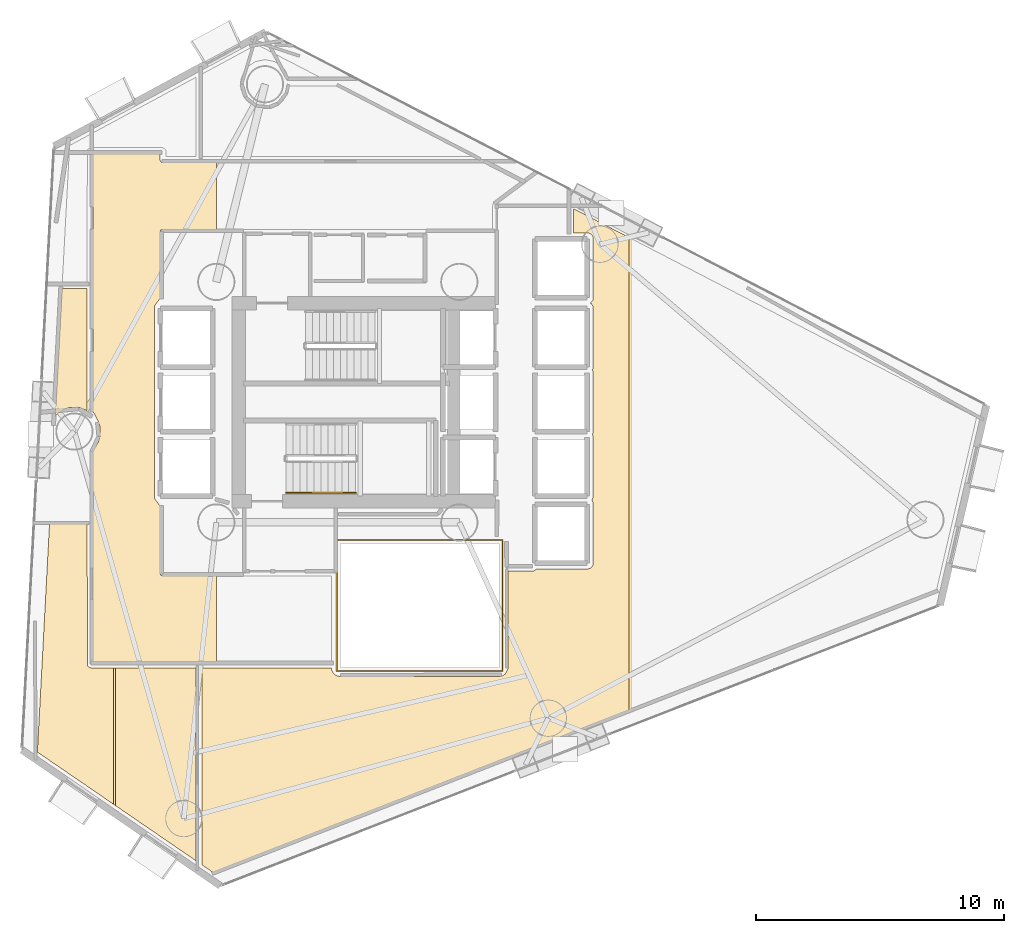
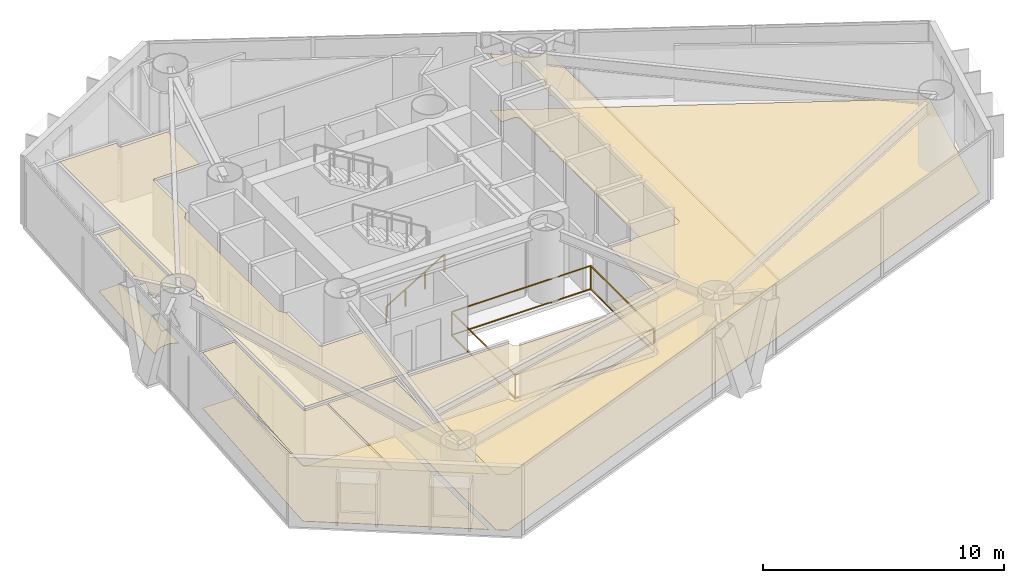
# One storey, part 19 of 21: 8 coverings, 2 railings.
"""IFC4 building model written with IfcOpenShell, lengths in metres."""

from ifc_helpers import new_model, si_unit, direction, frame, origin, origin_2d, place, context, subcontext, project, spatial, polyline, rectangle, outline, extrude, material, layer, layer_set, type_object, element, save


model = new_model("IFC4")

# Units and contexts
model_context = context("Model", 3, precision=1e-05, world=origin(), true_north=direction((0.0, 1.0)))
body_context = subcontext(model_context, "Body", "Model", "MODEL_VIEW")
ifc_project = project(units=[si_unit("LENGTHUNIT", "METRE"), si_unit("AREAUNIT", "SQUARE_METRE"), si_unit("VOLUMEUNIT", "CUBIC_METRE"), si_unit("PLANEANGLEUNIT", "RADIAN"), si_unit("MASSUNIT", "GRAM", prefix="KILO")], contexts=[model_context])

# Site, building, storey
site_placement = place(None, origin())
site = spatial("IfcSite", under=ifc_project, at=site_placement, CompositionType="ELEMENT")
building_placement = place(site_placement, origin())
building = spatial("IfcBuilding", under=site, at=building_placement, Name="Qianvela Tower", CompositionType="ELEMENT")
storey_placement = place(building_placement, frame((0.0, 0.0, 131.10009765625)))
storey = spatial("IfcBuildingStorey", under=building, at=storey_placement, Name="L33", CompositionType="ELEMENT", Elevation=131.10009765625)

# Coverings
ifc_material_1 = material(Name="Perforated Mineral Acoustic Ceiling Tile")
ifc_layer_1 = layer(ifc_material_1, 0.02490234375)
ifc_layer_set_1 = layer_set([ifc_layer_1], Name="Perforated Mineral Acoustic Ceiling Tile")
covering_type_1 = type_object("IfcCoveringType", Name="COV-CEIL-ACOUSTIC-25", PredefinedType="CEILING", material=ifc_layer_set_1)
covering_1_placement = place(storey_placement, frame((0.0, 0.0, 2.81494140625)))
element("IfcCovering", 1, at=covering_1_placement, inside=storey, type_object=covering_type_1, Name="L33 Acoustic Ceiling Bay 1 L33 Floor Corridor", PredefinedType="CEILING", context=body_context, shape_type="SweptSolid", body=[
    extrude(outline(polyline([(23.84814453125, 27.917724609375), (23.8447265625, 27.9248046875), (23.6298828125, 28.32666015625), (23.6298828125, 38.719970703125), (26.340087890625, 38.719970703125), (26.340087890625, 38.449951171875), (26.34033203125, 38.442138671875), (26.341552734375, 38.434326171875), (26.343505859375, 38.4267578125), (26.34619140625, 38.41943359375), (26.349365234375, 38.412353515625), (26.353515625, 38.405517578125), (26.358154296875, 38.399169921875), (26.36328125, 38.393310546875), (26.369140625, 38.38818359375), (26.37548828125, 38.383544921875), (26.38232421875, 38.37939453125), (26.389404296875, 38.376220703125), (26.396728515625, 38.373291015625), (26.404296875, 38.37158203125), (26.412109375, 38.370361328125), (26.419921875, 38.3701171875), (28.60107421875, 38.3701171875), (28.60107421875, 35.659912109375), (26.419921875, 35.659912109375), (26.412109375, 35.65966796875), (26.404296875, 35.658447265625), (26.396728515625, 35.656494140625), (26.389404296875, 35.65380859375), (26.38232421875, 35.650634765625), (26.37548828125, 35.646484375), (26.369140625, 35.641845703125), (26.36328125, 35.63671875), (26.358154296875, 35.630859375), (26.353515625, 35.62451171875), (26.349365234375, 35.61767578125), (26.34619140625, 35.610595703125), (26.343505859375, 35.603271484375), (26.341552734375, 35.595703125), (26.34033203125, 35.587890625), (26.340087890625, 35.580078125), (26.340087890625, 32.89599609375), (26.139404296875, 32.62548828125), (26.135498046875, 32.61962890625), (26.132080078125, 32.61376953125), (26.12939453125, 32.607421875), (26.126953125, 32.60107421875), (26.103515625, 32.523193359375), (26.1015625, 32.515625), (26.100341796875, 32.5078125), (26.10009765625, 32.5), (26.10009765625, 24.89990234375), (26.100341796875, 24.89208984375), (26.1015625, 24.884521484375), (26.103515625, 24.876708984375), (26.126953125, 24.799072265625), (26.12939453125, 24.79248046875), (26.132080078125, 24.786376953125), (26.135498046875, 24.7802734375), (26.139404296875, 24.774658203125), (26.340087890625, 24.50390625), (26.340087890625, 21.780029296875), (26.34033203125, 21.772216796875), (26.341552734375, 21.764404296875), (26.343505859375, 21.7568359375), (26.34619140625, 21.74951171875), (26.349365234375, 21.7421875), (26.353515625, 21.735595703125), (26.358154296875, 21.729248046875), (26.36328125, 21.723388671875), (26.369140625, 21.71826171875), (26.37548828125, 21.71337890625), (26.38232421875, 21.70947265625), (26.389404296875, 21.7060546875), (26.396728515625, 21.703369140625), (26.404296875, 21.701416015625), (26.412109375, 21.700439453125), (26.419921875, 21.699951171875), (28.60107421875, 21.699951171875), (28.60107421875, 18.22998046875), (23.6298828125, 18.22998046875), (23.6298828125, 26.705322265625), (23.8447265625, 27.107177734375), (23.84814453125, 27.1142578125), (23.8505859375, 27.12158203125), (23.906005859375, 27.303466796875), (23.90771484375, 27.311279296875), (23.908935546875, 27.31884765625), (23.909423828125, 27.326904296875), (23.909423828125, 27.705078125), (23.908935546875, 27.713134765625), (23.90771484375, 27.720703125), (23.906005859375, 27.728515625), (23.8505859375, 27.910400390625), (23.84814453125, 27.917724609375)])), origin(), (0.0, 0.0, 1.0), 0.02490234375),
])
covering_2_placement = place(storey_placement, frame((0.0, 0.0, 2.81494140625)))
element("IfcCovering", 2, at=covering_2_placement, inside=storey, type_object=covering_type_1, Name="L33 Acoustic Ceiling Bay 1 Quiet Reading Study L33-01", PredefinedType="CEILING", context=body_context, shape_type="SweptSolid", body=[
    extrude(outline(polyline([(23.390380859375, 23.778076171875), (23.408203125, 18.09912109375), (23.40869140625, 18.0908203125), (23.409912109375, 18.082763671875), (23.412109375, 18.07470703125), (23.414794921875, 18.067138671875), (23.41845703125, 18.059814453125), (23.4228515625, 18.052978515625), (23.427978515625, 18.04638671875), (23.43359375, 18.040771484375), (23.43994140625, 18.035400390625), (23.44677734375, 18.03076171875), (23.4541015625, 18.02685546875), (23.515869140625, 17.997802734375), (23.52392578125, 17.994384765625), (23.532470703125, 17.991943359375), (23.541259765625, 17.990478515625), (23.550048828125, 17.989990234375), (24.45751953125, 17.989990234375), (24.45751953125, 12.485595703125), (21.3857421875, 14.5908203125), (21.873779296875, 23.778076171875), (23.390380859375, 23.778076171875)])), origin(), (0.0, 0.0, 1.0), 0.02490234375),
])
covering_3_placement = place(storey_placement, frame((0.0, 0.0, 2.81494140625)))
element("IfcCovering", 3, at=covering_3_placement, inside=storey, type_object=covering_type_1, Name="L33 Acoustic Ceiling Bay 2 Quiet Reading Study L33-01", PredefinedType="CEILING", context=body_context, shape_type="SweptSolid", body=[
    extrude(outline(polyline([(27.778076171875, 17.989990234375), (27.778076171875, 10.209716796875), (24.53759765625, 12.4306640625), (24.53759765625, 17.989990234375), (27.778076171875, 17.989990234375)])), origin(), (0.0, 0.0, 1.0), 0.02490234375),
])
covering_4_placement = place(storey_placement, frame((0.0, 0.0, 2.81494140625)))
element("IfcCovering", 4, at=covering_4_placement, inside=storey, type_object=covering_type_1, Name="L33 Acoustic Ceiling Bay 1 Panoramic Study Lounge L33-02", PredefinedType="CEILING", context=body_context, shape_type="SweptSolid", body=[
    extrude(outline(polyline([(40.13037109375, 17.664794921875), (40.1376953125, 17.66748046875), (40.14501953125, 17.6708984375), (40.151611328125, 17.6748046875), (40.242431640625, 17.735595703125), (40.249267578125, 17.74072265625), (40.255615234375, 17.74658203125), (40.26123046875, 17.753173828125), (40.26611328125, 17.76025390625), (40.270263671875, 17.767822265625), (40.35107421875, 17.9384765625), (40.354248046875, 17.946533203125), (40.356689453125, 17.955078125), (40.358154296875, 17.963623046875), (40.358642578125, 17.972412109375), (40.360107421875, 21.889892578125), (41.367919921875, 21.890380859375), (41.375732421875, 21.890869140625), (41.383544921875, 21.891845703125), (41.39111328125, 21.893798828125), (41.3984375, 21.896484375), (41.405517578125, 21.89990234375), (41.45947265625, 21.9287109375), (41.46630859375, 21.932861328125), (41.472900390625, 21.9375), (41.478759765625, 21.943115234375), (41.48388671875, 21.948974609375), (41.48876953125, 21.955322265625), (41.492919921875, 21.96240234375), (41.49609375, 21.969482421875), (41.498779296875, 21.97705078125), (41.49951171875, 21.97998046875), (43.59375, 21.980712890625), (43.6015625, 21.981201171875), (43.609375, 21.982177734375), (43.616943359375, 21.984130859375), (43.624267578125, 21.98681640625), (43.699462890625, 22.017822265625), (43.70703125, 22.021484375), (43.71435546875, 22.02587890625), (43.72119140625, 22.03125), (43.727294921875, 22.037109375), (43.732666015625, 22.043701171875), (43.7373046875, 22.05078125), (43.785888671875, 22.131591796875), (43.7900390625, 22.13916015625), (43.793212890625, 22.147216796875), (43.79541015625, 22.155517578125), (43.796875, 22.1640625), (43.79736328125, 22.172607421875), (43.800048828125, 24.599853515625), (43.7998046875, 24.606689453125), (43.798828125, 24.613525390625), (43.79736328125, 24.620361328125), (43.79541015625, 24.626953125), (43.763427734375, 24.7158203125), (43.760498046875, 24.722900390625), (43.7568359375, 24.72998046875), (43.75244140625, 24.736572265625), (43.74755859375, 24.742431640625), (43.741943359375, 24.748046875), (43.739990234375, 24.74951171875), (43.743408203125, 24.75341796875), (43.74755859375, 24.760009765625), (43.751220703125, 24.766845703125), (43.79150390625, 24.85205078125), (43.794921875, 24.860107421875), (43.79736328125, 24.86865234375), (43.798828125, 24.87744140625), (43.79931640625, 24.88623046875), (43.800048828125, 27.300048828125), (43.799560546875, 27.307861328125), (43.79833984375, 27.31591796875), (43.79638671875, 27.323486328125), (43.793701171875, 27.3310546875), (43.7646484375, 27.39990234375), (43.793701171875, 27.468994140625), (43.79638671875, 27.476318359375), (43.79833984375, 27.484130859375), (43.799560546875, 27.491943359375), (43.800048828125, 27.5), (43.800048828125, 29.89990234375), (43.799560546875, 29.907958984375), (43.79833984375, 29.915771484375), (43.79638671875, 29.923583984375), (43.793701171875, 29.93115234375), (43.7646484375, 30.0), (43.793701171875, 30.06884765625), (43.79638671875, 30.076416015625), (43.79833984375, 30.084228515625), (43.799560546875, 30.09228515625), (43.800048828125, 30.10009765625), (43.7939453125, 32.540771484375), (43.793701171875, 32.548583984375), (43.79248046875, 32.556396484375), (43.79052734375, 32.56396484375), (43.787841796875, 32.5712890625), (43.784423828125, 32.578369140625), (43.780517578125, 32.585205078125), (43.7353515625, 32.652587890625), (43.73095703125, 32.658447265625), (43.726318359375, 32.6640625), (43.720947265625, 32.6689453125), (43.715087890625, 32.673583984375), (43.708984375, 32.677490234375), (43.702392578125, 32.680908203125), (43.69580078125, 32.68359375), (43.653564453125, 32.69873046875), (43.680908203125, 32.70703125), (43.6884765625, 32.709716796875), (43.695556640625, 32.712890625), (43.7021484375, 32.717041015625), (43.70849609375, 32.7216796875), (43.71435546875, 32.72705078125), (43.719482421875, 32.73291015625), (43.771240234375, 32.795654296875), (43.77587890625, 32.802001953125), (43.77978515625, 32.80859375), (43.783203125, 32.815673828125), (43.785888671875, 32.822998046875), (43.787841796875, 32.83056640625), (43.788818359375, 32.83837890625), (43.789306640625, 32.84619140625), (43.79736328125, 35.3271484375), (43.797119140625, 35.334228515625), (43.7958984375, 35.341552734375), (43.79443359375, 35.348388671875), (43.792236328125, 35.35546875), (43.789306640625, 35.362060546875), (43.785888671875, 35.368408203125), (43.7373046875, 35.44921875), (43.732666015625, 35.456298828125), (43.727294921875, 35.462890625), (43.72119140625, 35.46875), (43.71435546875, 35.47412109375), (43.70703125, 35.478515625), (43.699462890625, 35.482177734375), (43.624267578125, 35.51318359375), (43.616943359375, 35.515869140625), (43.609375, 35.517822265625), (43.6015625, 35.518798828125), (43.59375, 35.519287109375), (43.0, 35.52001953125), (43.0087890625, 36.5), (45.243408203125, 35.341796875), (45.243408203125, 16.29345703125), (28.45703125, 9.744384765625), (28.02197265625, 10.04248046875), (28.02197265625, 17.989990234375), (33.24609375, 17.989990234375), (33.252197265625, 17.912353515625), (33.25341796875, 17.904296875), (33.25537109375, 17.896240234375), (33.258056640625, 17.888427734375), (33.261474609375, 17.881103515625), (33.31298828125, 17.78466796875), (33.31689453125, 17.77783203125), (33.32177734375, 17.771484375), (33.326904296875, 17.765869140625), (33.332763671875, 17.760498046875), (33.417236328125, 17.691162109375), (33.42431640625, 17.68603515625), (33.431884765625, 17.681640625), (33.440185546875, 17.677978515625), (33.448486328125, 17.675537109375), (33.58056640625, 17.642333984375), (33.5869140625, 17.64111328125), (33.593505859375, 17.640380859375), (33.60009765625, 17.639892578125), (40.0, 17.639892578125), (40.0078125, 17.640380859375), (40.015625, 17.6416015625), (40.122802734375, 17.662841796875), (40.13037109375, 17.664794921875)])), origin(), (0.0, 0.0, 1.0), 0.02490234375),
])
covering_5_placement = place(storey_placement, frame((0.0, 0.0, 2.81494140625)))
element("IfcCovering", 5, at=covering_5_placement, inside=storey, type_object=covering_type_1, Name="L33 Acoustic Ceiling Shared Communal Kitchen L33-05", PredefinedType="CEILING", context=body_context, shape_type="SweptSolid", body=[
    extrude(outline(polyline([(22.104736328125, 28.12744140625), (22.378173828125, 33.278076171875), (23.389892578125, 33.278076171875), (23.390380859375, 28.3564453125), (23.086181640625, 28.482421875), (23.078857421875, 28.485107421875), (23.071044921875, 28.487060546875), (23.0634765625, 28.488037109375), (23.055419921875, 28.488525390625), (22.700439453125, 28.488525390625), (22.692626953125, 28.488037109375), (22.684814453125, 28.487060546875), (22.67724609375, 28.485107421875), (22.506591796875, 28.433349609375), (22.4990234375, 28.4306640625), (22.491943359375, 28.42724609375), (22.4853515625, 28.423095703125), (22.190185546875, 28.22607421875), (22.183837890625, 28.22119140625), (22.177978515625, 28.216064453125), (22.172607421875, 28.210205078125), (22.104736328125, 28.12744140625)])), origin(), (0.0, 0.0, 1.0), 0.02490234375),
])
ifc_material_2 = material(Name="Engineered Acoustic Oak Timber Flooring", Category="wood")
ifc_layer_2 = layer(ifc_material_2, 0.02001953125)
ifc_layer_set_2 = layer_set([ifc_layer_2], Name="Engineered Acoustic Oak Timber Flooring")
covering_type_2 = type_object("IfcCoveringType", Name="COV-FLOOR-OAK-20", PredefinedType="FLOORING", material=ifc_layer_set_2)
covering_6_placement = place(storey_placement, origin())
element("IfcCovering", 6, at=covering_6_placement, inside=storey, type_object=covering_type_2, Name="L33 Finish Flooring Quiet Reading Study L33-01", PredefinedType="FLOORING", context=body_context, shape_type="SweptSolid", body=[
    extrude(outline(polyline([(21.873779296875, 23.778076171875), (23.390380859375, 23.778076171875), (23.408203125, 18.09912109375), (23.40869140625, 18.0908203125), (23.409912109375, 18.082763671875), (23.412109375, 18.07470703125), (23.414794921875, 18.067138671875), (23.41845703125, 18.059814453125), (23.4228515625, 18.052978515625), (23.427978515625, 18.04638671875), (23.43359375, 18.040771484375), (23.43994140625, 18.035400390625), (23.44677734375, 18.03076171875), (23.4541015625, 18.02685546875), (23.515869140625, 17.997802734375), (23.52392578125, 17.994384765625), (23.532470703125, 17.991943359375), (23.541259765625, 17.990478515625), (23.550048828125, 17.989990234375), (27.778076171875, 17.989990234375), (27.778076171875, 10.209716796875), (21.3857421875, 14.5908203125), (21.873779296875, 23.778076171875)])), origin(), (0.0, 0.0, 1.0), 0.02001953125),
])
covering_7_placement = place(storey_placement, origin())
element("IfcCovering", 7, at=covering_7_placement, inside=storey, type_object=covering_type_2, Name="L33 Finish Flooring Panoramic Study Lounge L33-02", PredefinedType="FLOORING", context=body_context, shape_type="SweptSolid", body=[
    extrude(outline(polyline([(40.122802734375, 17.662841796875), (40.13037109375, 17.664794921875), (40.1376953125, 17.66748046875), (40.14501953125, 17.6708984375), (40.151611328125, 17.6748046875), (40.242431640625, 17.735595703125), (40.249267578125, 17.74072265625), (40.255615234375, 17.74658203125), (40.26123046875, 17.753173828125), (40.26611328125, 17.76025390625), (40.270263671875, 17.767822265625), (40.35107421875, 17.9384765625), (40.354248046875, 17.946533203125), (40.356689453125, 17.955078125), (40.358154296875, 17.963623046875), (40.358642578125, 17.972412109375), (40.360107421875, 21.889892578125), (41.367919921875, 21.890380859375), (41.375732421875, 21.890869140625), (41.383544921875, 21.891845703125), (41.39111328125, 21.893798828125), (41.3984375, 21.896484375), (41.405517578125, 21.89990234375), (41.45947265625, 21.9287109375), (41.46630859375, 21.932861328125), (41.472900390625, 21.9375), (41.478759765625, 21.943115234375), (41.48388671875, 21.948974609375), (41.48876953125, 21.955322265625), (41.492919921875, 21.96240234375), (41.49609375, 21.969482421875), (41.498779296875, 21.97705078125), (41.49951171875, 21.97998046875), (43.59375, 21.980712890625), (43.6015625, 21.981201171875), (43.609375, 21.982177734375), (43.616943359375, 21.984130859375), (43.624267578125, 21.98681640625), (43.699462890625, 22.017822265625), (43.70703125, 22.021484375), (43.71435546875, 22.02587890625), (43.72119140625, 22.03125), (43.727294921875, 22.037109375), (43.732666015625, 22.043701171875), (43.7373046875, 22.05078125), (43.785888671875, 22.131591796875), (43.7900390625, 22.13916015625), (43.793212890625, 22.147216796875), (43.79541015625, 22.155517578125), (43.796875, 22.1640625), (43.79736328125, 22.172607421875), (43.800048828125, 24.599853515625), (43.7998046875, 24.606689453125), (43.798828125, 24.613525390625), (43.79736328125, 24.620361328125), (43.79541015625, 24.626953125), (43.763427734375, 24.7158203125), (43.760498046875, 24.722900390625), (43.7568359375, 24.72998046875), (43.75244140625, 24.736572265625), (43.74755859375, 24.742431640625), (43.741943359375, 24.748046875), (43.739990234375, 24.74951171875), (43.743408203125, 24.75341796875), (43.74755859375, 24.760009765625), (43.751220703125, 24.766845703125), (43.79150390625, 24.85205078125), (43.794921875, 24.860107421875), (43.79736328125, 24.86865234375), (43.798828125, 24.87744140625), (43.79931640625, 24.88623046875), (43.800048828125, 27.300048828125), (43.799560546875, 27.307861328125), (43.79833984375, 27.31591796875), (43.79638671875, 27.323486328125), (43.793701171875, 27.3310546875), (43.7646484375, 27.39990234375), (43.793701171875, 27.468994140625), (43.79638671875, 27.476318359375), (43.79833984375, 27.484130859375), (43.799560546875, 27.491943359375), (43.800048828125, 27.5), (43.800048828125, 29.89990234375), (43.799560546875, 29.907958984375), (43.79833984375, 29.915771484375), (43.79638671875, 29.923583984375), (43.793701171875, 29.93115234375), (43.7646484375, 30.0), (43.793701171875, 30.06884765625), (43.79638671875, 30.076416015625), (43.79833984375, 30.084228515625), (43.799560546875, 30.09228515625), (43.800048828125, 30.10009765625), (43.7939453125, 32.540771484375), (43.793701171875, 32.548583984375), (43.79248046875, 32.556396484375), (43.79052734375, 32.56396484375), (43.787841796875, 32.5712890625), (43.784423828125, 32.578369140625), (43.780517578125, 32.585205078125), (43.7353515625, 32.652587890625), (43.73095703125, 32.658447265625), (43.726318359375, 32.6640625), (43.720947265625, 32.6689453125), (43.715087890625, 32.673583984375), (43.708984375, 32.677490234375), (43.702392578125, 32.680908203125), (43.69580078125, 32.68359375), (43.653564453125, 32.69873046875), (43.680908203125, 32.70703125), (43.6884765625, 32.709716796875), (43.695556640625, 32.712890625), (43.7021484375, 32.717041015625), (43.70849609375, 32.7216796875), (43.71435546875, 32.72705078125), (43.719482421875, 32.73291015625), (43.771240234375, 32.795654296875), (43.77587890625, 32.802001953125), (43.77978515625, 32.80859375), (43.783203125, 32.815673828125), (43.785888671875, 32.822998046875), (43.787841796875, 32.83056640625), (43.788818359375, 32.83837890625), (43.789306640625, 32.84619140625), (43.79736328125, 35.3271484375), (43.797119140625, 35.334228515625), (43.7958984375, 35.341552734375), (43.79443359375, 35.348388671875), (43.792236328125, 35.35546875), (43.789306640625, 35.362060546875), (43.785888671875, 35.368408203125), (43.7373046875, 35.44921875), (43.732666015625, 35.456298828125), (43.727294921875, 35.462890625), (43.72119140625, 35.46875), (43.71435546875, 35.47412109375), (43.70703125, 35.478515625), (43.699462890625, 35.482177734375), (43.624267578125, 35.51318359375), (43.616943359375, 35.515869140625), (43.609375, 35.517822265625), (43.6015625, 35.518798828125), (43.59375, 35.519287109375), (43.0, 35.52001953125), (43.0087890625, 36.5), (59.255126953125, 28.0810546875), (57.642578125, 21.131103515625), (28.45703125, 9.744384765625), (28.02197265625, 10.04248046875), (28.02197265625, 17.989990234375), (33.24609375, 17.989990234375), (33.252197265625, 17.912353515625), (33.25341796875, 17.904296875), (33.25537109375, 17.896240234375), (33.258056640625, 17.888427734375), (33.261474609375, 17.881103515625), (33.31298828125, 17.78466796875), (33.31689453125, 17.77783203125), (33.32177734375, 17.771484375), (33.326904296875, 17.765869140625), (33.332763671875, 17.760498046875), (33.417236328125, 17.691162109375), (33.42431640625, 17.68603515625), (33.431884765625, 17.681640625), (33.440185546875, 17.677978515625), (33.448486328125, 17.675537109375), (33.58056640625, 17.642333984375), (33.5869140625, 17.64111328125), (33.593505859375, 17.640380859375), (33.60009765625, 17.639892578125), (40.0, 17.639892578125), (40.0078125, 17.640380859375), (40.015625, 17.6416015625), (40.122802734375, 17.662841796875)])), origin(), (0.0, 0.0, 1.0), 0.02001953125),
])
covering_8_placement = place(storey_placement, origin())
element("IfcCovering", 8, at=covering_8_placement, inside=storey, type_object=covering_type_2, Name="L33 Finish Flooring Shared Communal Kitchen L33-05", PredefinedType="FLOORING", context=body_context, shape_type="SweptSolid", body=[
    extrude(outline(polyline([(22.104736328125, 28.12744140625), (22.378173828125, 33.278076171875), (23.389892578125, 33.278076171875), (23.390380859375, 28.3564453125), (23.086181640625, 28.482421875), (23.078857421875, 28.485107421875), (23.071044921875, 28.487060546875), (23.0634765625, 28.488037109375), (23.055419921875, 28.488525390625), (22.700439453125, 28.488525390625), (22.692626953125, 28.488037109375), (22.684814453125, 28.487060546875), (22.67724609375, 28.485107421875), (22.506591796875, 28.433349609375), (22.4990234375, 28.4306640625), (22.491943359375, 28.42724609375), (22.4853515625, 28.423095703125), (22.190185546875, 28.22607421875), (22.183837890625, 28.22119140625), (22.177978515625, 28.216064453125), (22.172607421875, 28.210205078125), (22.104736328125, 28.12744140625)])), origin(), (0.0, 0.0, 1.0), 0.02001953125),
])

# Railings
ifc_material_3 = material(Name="Laminated Safety Glass and Stainless Steel 316", Category="steel")
railing_type_1 = type_object("IfcRailingType", Name="RL-ATRIUM-GUARD-1250", PredefinedType="GUARDRAIL", material=ifc_material_3)
railing_1_placement = place(storey_placement, frame((33.4599609375, 17.860107421875, 0.0)))
element("IfcRailing", 9, at=railing_1_placement, inside=storey, type_object=railing_type_1, Name="L33 Atrium Edge Guardrail 1", PredefinedType="GUARDRAIL", context=body_context, shape_type="SweptSolid", body=[
    extrude(rectangle(XDim=0.050048828125, YDim=0.0400390625, at=origin_2d()), frame((0.0, 0.0, 1.22998046875), z_axis=(0.0, 1.0, 0.0), x_axis=(-1.0, 0.0, 0.0)), (0.0, 0.0, 1.0), 5.27978515625),
    extrude(rectangle(XDim=0.050048828125, YDim=0.0400390625, at=origin_2d()), frame((0.0, 0.0, 0.050048828125), z_axis=(0.0, 1.0, 0.0), x_axis=(-1.0, 0.0, 0.0)), (0.0, 0.0, 1.0), 5.27978515625),
    extrude(rectangle(XDim=0.050048828125, YDim=0.0400390625, at=origin_2d()), frame((0.0, 5.27978515625, 1.22998046875), z_axis=(1.0, 0.0, 0.0), x_axis=(0.0, 1.0, 0.0)), (0.0, 0.0, 1.0), 6.679931640625),
    extrude(rectangle(XDim=0.050048828125, YDim=0.0400390625, at=origin_2d()), frame((0.0, 5.27978515625, 0.050048828125), z_axis=(1.0, 0.0, 0.0), x_axis=(0.0, 1.0, 0.0)), (0.0, 0.0, 1.0), 6.679931640625),
    extrude(rectangle(XDim=0.050048828125, YDim=0.0400390625, at=origin_2d()), frame((6.679931640625, 5.27978515625, 1.22998046875), z_axis=(0.0, -1.0, 0.0), x_axis=(1.0, 0.0, 0.0)), (0.0, 0.0, 1.0), 5.27978515625),
    extrude(rectangle(XDim=0.050048828125, YDim=0.0400390625, at=origin_2d()), frame((6.679931640625, 5.27978515625, 0.050048828125), z_axis=(0.0, -1.0, 0.0), x_axis=(1.0, 0.0, 0.0)), (0.0, 0.0, 1.0), 5.27978515625),
    extrude(rectangle(XDim=0.050048828125, YDim=0.0400390625, at=origin_2d()), frame((6.679931640625, 0.0, 1.22998046875), z_axis=(-1.0, 0.0, 0.0), x_axis=(0.0, -1.0, 0.0)), (0.0, 0.0, 1.0), 6.679931640625),
    extrude(rectangle(XDim=0.050048828125, YDim=0.0400390625, at=origin_2d()), frame((6.679931640625, 0.0, 0.050048828125), z_axis=(-1.0, 0.0, 0.0), x_axis=(0.0, -1.0, 0.0)), (0.0, 0.0, 1.0), 6.679931640625),
    extrude(rectangle(XDim=0.050048828125, YDim=0.050048828125, at=origin_2d()), origin(), (0.0, 0.0, 1.0), 1.2099609375),
    extrude(rectangle(XDim=0.050048828125, YDim=0.050048828125, at=origin_2d()), frame((0.0, 5.27978515625, 0.0)), (0.0, 0.0, 1.0), 1.2099609375),
    extrude(rectangle(XDim=0.050048828125, YDim=0.050048828125, at=origin_2d()), frame((6.679931640625, 5.27978515625, 0.0)), (0.0, 0.0, 1.0), 1.2099609375),
    extrude(rectangle(XDim=0.050048828125, YDim=0.050048828125, at=origin_2d()), frame((6.679931640625, 0.0, 0.0)), (0.0, 0.0, 1.0), 1.2099609375),
])
ifc_material_4 = material(Name="Brushed Stainless Steel 304", Category="steel")
railing_type_2 = type_object("IfcRailingType", Name="RL-STAIR-HANDRAIL-900", PredefinedType="HANDRAIL", material=ifc_material_4)
railing_2_placement = place(storey_placement, frame((31.419921875, 25.050048828125, 0.16796875)))
element("IfcRailing", 10, at=railing_2_placement, inside=storey, type_object=railing_type_2, Name="L33 ST-2 stair handrail 1", PredefinedType="HANDRAIL", context=body_context, shape_type="SweptSolid", body=[
    extrude(rectangle(XDim=0.050048828125, YDim=0.0400390625, at=origin_2d()), frame((0.0, 0.0, 0.8798828125), z_axis=(0.857242210791, 0.0, 0.514913383045), x_axis=(0.0, 1.0, 0.0)), (0.0, 0.0, 1.0), 3.266357421875),
    extrude(rectangle(XDim=0.050048828125, YDim=0.050048828125, at=origin_2d()), origin(), (0.0, 0.0, 1.0), 0.85986328125),
    extrude(rectangle(XDim=0.050048828125, YDim=0.050048828125, at=origin_2d()), frame((0.933349609375, 0.0, 0.560546875)), (0.0, 0.0, 1.0), 0.85986328125),
    extrude(rectangle(XDim=0.050048828125, YDim=0.050048828125, at=origin_2d()), frame((1.86669921875, 0.0, 1.121337890625)), (0.0, 0.0, 1.0), 0.85986328125),
    extrude(rectangle(XDim=0.050048828125, YDim=0.050048828125, at=origin_2d()), frame((2.800048828125, 0.0, 1.681884765625)), (0.0, 0.0, 1.0), 0.85986328125),
])

save(model, "model.ifc")
